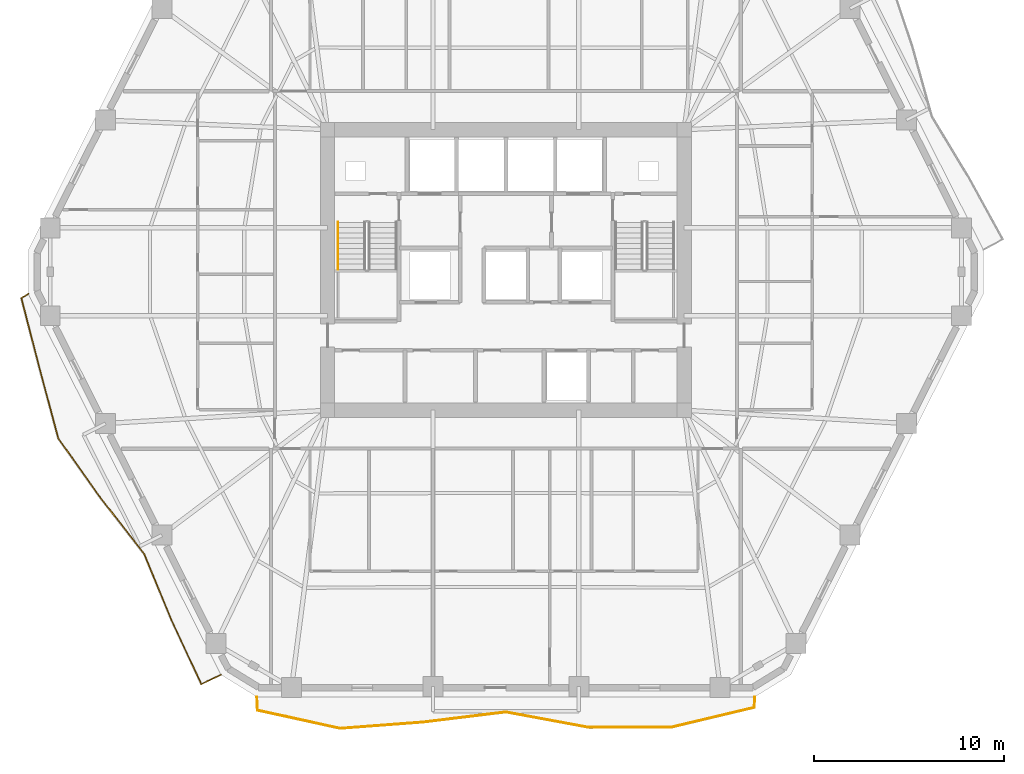
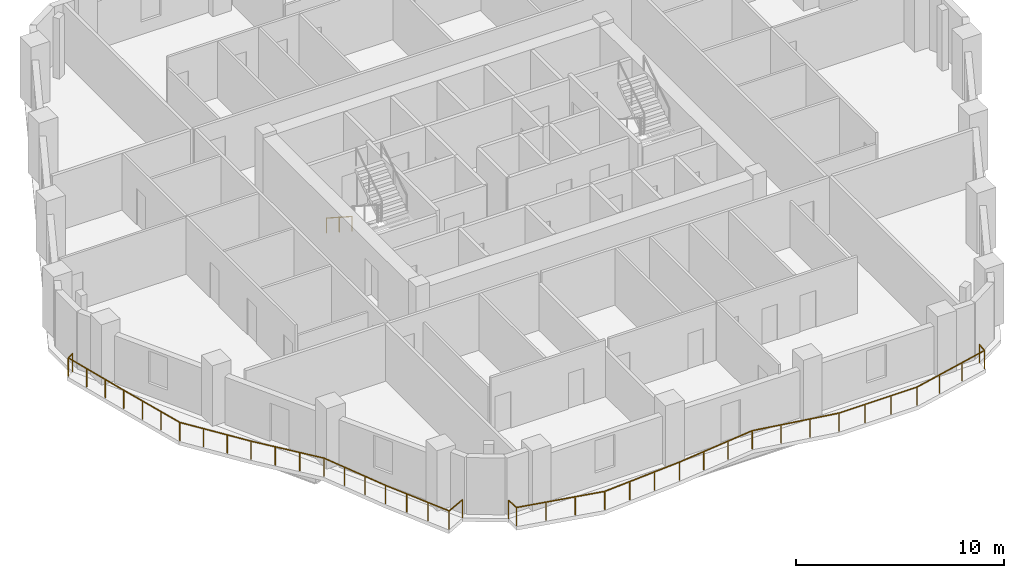
# One storey, part 9 of 11: 3 railings.
"""IFC4 building model written with IfcOpenShell, lengths in metres."""

from ifc_helpers import new_model, si_unit, direction, frame, origin, origin_2d, place, context, subcontext, project, spatial, rectangle, extrude, material, type_object, element, save


model = new_model("IFC4")

# Units and contexts
model_context = context("Model", 3, precision=1e-05, world=origin(), true_north=direction((0.0, 1.0)))
body_context = subcontext(model_context, "Body", "Model", "MODEL_VIEW")
ifc_project = project(units=[si_unit("LENGTHUNIT", "METRE"), si_unit("AREAUNIT", "SQUARE_METRE"), si_unit("VOLUMEUNIT", "CUBIC_METRE"), si_unit("PLANEANGLEUNIT", "RADIAN"), si_unit("MASSUNIT", "GRAM", prefix="KILO")], contexts=[model_context])

# Site, building, storey
site_placement = place(None, origin())
site = spatial("IfcSite", under=ifc_project, at=site_placement, CompositionType="ELEMENT")
building_placement = place(site_placement, origin())
building = spatial("IfcBuilding", under=site, at=building_placement, Name="Cinnabar Lancet Tower", CompositionType="ELEMENT")
storey_placement = place(building_placement, frame((0.0, 0.0, 130.35009765625)))
storey = spatial("IfcBuildingStorey", under=building, at=storey_placement, Name="L34", CompositionType="ELEMENT", Elevation=130.35009765625)

# Railings
ifc_material_1 = material(Name="Laminated safety glass and bronze stainless steel balustrade", Category="steel")
railing_type_1 = type_object("IfcRailingType", Name="ENV-RLG-BAL-1100", PredefinedType="BALUSTRADE", material=ifc_material_1)
railing_1_placement = place(storey_placement, frame((19.30810546875, 3.449951171875, 0.0)))
element("IfcRailing", 1, at=railing_1_placement, inside=storey, type_object=railing_type_1, Name="L34 Face 1 Wave Balcony Balustrade", PredefinedType="BALUSTRADE", context=body_context, shape_type="SweptSolid", body=[
    extrude(rectangle(XDim=0.048095703125, YDim=0.048095703125, at=origin_2d()), frame((0.0, 0.0, 1.076171875), z_axis=(0.047942046456, -0.998850118978, 0.0), x_axis=(0.998850118978, 0.047942046456, 0.0)), (0.0, 0.0, 1.0), 0.707763671875),
    extrude(rectangle(XDim=0.048095703125, YDim=0.048095703125, at=origin_2d()), frame((0.033935546875, -0.70703125, 1.076171875), z_axis=(0.976925026182, -0.213582520864, 0.0), x_axis=(0.213582520864, 0.976925026182, 0.0)), (0.0, 0.0, 1.0), 4.456787109375),
    extrude(rectangle(XDim=0.048095703125, YDim=0.048095703125, at=origin_2d()), frame((4.387939453125, -1.658935546875, 1.076171875), z_axis=(0.997120561854, 0.075832612556, 0.0), x_axis=(-0.075832612556, 0.997120561854, 0.0)), (0.0, 0.0, 1.0), 4.365478515625),
    extrude(rectangle(XDim=0.048095703125, YDim=0.048095703125, at=origin_2d()), frame((8.740966796875, -1.327880859375, 1.076171875), z_axis=(0.992634445758, 0.121148079206, 0.0), x_axis=(-0.121148079206, 0.992634445758, 0.0)), (0.0, 0.0, 1.0), 4.383056640625),
    extrude(rectangle(XDim=0.048095703125, YDim=0.048095703125, at=origin_2d()), frame((13.091796875, -0.796875, 1.076171875), z_axis=(0.983147116588, -0.182816156681, 0.0), x_axis=(0.182816156681, 0.983147116588, 0.0)), (0.0, 0.0, 1.0), 4.42578125),
    extrude(rectangle(XDim=0.048095703125, YDim=0.048095703125, at=origin_2d()), frame((17.44287109375, -1.60595703125, 1.076171875), z_axis=(0.999996223782, 0.002748166852, 0.0), x_axis=(-0.002748166852, 0.999996223782, 0.0)), (0.0, 0.0, 1.0), 4.35302734375),
    extrude(rectangle(XDim=0.048095703125, YDim=0.048095703125, at=origin_2d()), frame((21.7958984375, -1.593994140625, 1.076171875), z_axis=(0.972772251722, 0.231763125368, 0.0), x_axis=(-0.231763125368, 0.972772251722, 0.0)), (0.0, 0.0, 1.0), 4.474853515625),
    extrude(rectangle(XDim=0.048095703125, YDim=0.048095703125, at=origin_2d()), frame((26.14892578125, -0.556884765625, 1.076171875), z_axis=(0.062568966201, 0.998040642694, 0.0), x_axis=(-0.998040642694, 0.062568966201, 0.0)), (0.0, 0.0, 1.0), 0.557861328125),
    extrude(rectangle(XDim=0.0419921875, YDim=0.0419921875, at=origin_2d()), origin(), (0.0, 0.0, 1.0), 1.052001953125),
    extrude(rectangle(XDim=0.0419921875, YDim=0.0419921875, at=origin_2d()), frame((0.033935546875, -0.70703125, 0.0)), (0.0, 0.0, 1.0), 1.052001953125),
    extrude(rectangle(XDim=0.0419921875, YDim=0.0419921875, at=origin_2d()), frame((1.4853515625, -1.0244140625, 0.0)), (0.0, 0.0, 1.0), 1.052001953125),
    extrude(rectangle(XDim=0.0419921875, YDim=0.0419921875, at=origin_2d()), frame((2.9365234375, -1.341552734375, 0.0)), (0.0, 0.0, 1.0), 1.052001953125),
    extrude(rectangle(XDim=0.0419921875, YDim=0.0419921875, at=origin_2d()), frame((4.387939453125, -1.658935546875, 0.0)), (0.0, 0.0, 1.0), 1.052001953125),
    extrude(rectangle(XDim=0.0419921875, YDim=0.0419921875, at=origin_2d()), frame((5.8388671875, -1.548583984375, 0.0)), (0.0, 0.0, 1.0), 1.052001953125),
    extrude(rectangle(XDim=0.0419921875, YDim=0.0419921875, at=origin_2d()), frame((7.2900390625, -1.438232421875, 0.0)), (0.0, 0.0, 1.0), 1.052001953125),
    extrude(rectangle(XDim=0.0419921875, YDim=0.0419921875, at=origin_2d()), frame((8.740966796875, -1.327880859375, 0.0)), (0.0, 0.0, 1.0), 1.052001953125),
    extrude(rectangle(XDim=0.0419921875, YDim=0.0419921875, at=origin_2d()), frame((10.191162109375, -1.15087890625, 0.0)), (0.0, 0.0, 1.0), 1.052001953125),
    extrude(rectangle(XDim=0.0419921875, YDim=0.0419921875, at=origin_2d()), frame((11.6416015625, -0.973876953125, 0.0)), (0.0, 0.0, 1.0), 1.052001953125),
    extrude(rectangle(XDim=0.0419921875, YDim=0.0419921875, at=origin_2d()), frame((13.091796875, -0.796875, 0.0)), (0.0, 0.0, 1.0), 1.052001953125),
    extrude(rectangle(XDim=0.0419921875, YDim=0.0419921875, at=origin_2d()), frame((14.542236328125, -1.066650390625, 0.0)), (0.0, 0.0, 1.0), 1.052001953125),
    extrude(rectangle(XDim=0.0419921875, YDim=0.0419921875, at=origin_2d()), frame((15.992431640625, -1.336181640625, 0.0)), (0.0, 0.0, 1.0), 1.052001953125),
    extrude(rectangle(XDim=0.0419921875, YDim=0.0419921875, at=origin_2d()), frame((17.44287109375, -1.60595703125, 0.0)), (0.0, 0.0, 1.0), 1.052001953125),
    extrude(rectangle(XDim=0.0419921875, YDim=0.0419921875, at=origin_2d()), frame((18.893798828125, -1.60205078125, 0.0)), (0.0, 0.0, 1.0), 1.052001953125),
    extrude(rectangle(XDim=0.0419921875, YDim=0.0419921875, at=origin_2d()), frame((20.344970703125, -1.597900390625, 0.0)), (0.0, 0.0, 1.0), 1.052001953125),
    extrude(rectangle(XDim=0.0419921875, YDim=0.0419921875, at=origin_2d()), frame((21.7958984375, -1.593994140625, 0.0)), (0.0, 0.0, 1.0), 1.052001953125),
    extrude(rectangle(XDim=0.0419921875, YDim=0.0419921875, at=origin_2d()), frame((23.246826171875, -1.248291015625, 0.0)), (0.0, 0.0, 1.0), 1.052001953125),
    extrude(rectangle(XDim=0.0419921875, YDim=0.0419921875, at=origin_2d()), frame((24.697998046875, -0.902587890625, 0.0)), (0.0, 0.0, 1.0), 1.052001953125),
    extrude(rectangle(XDim=0.0419921875, YDim=0.0419921875, at=origin_2d()), frame((26.14892578125, -0.556884765625, 0.0)), (0.0, 0.0, 1.0), 1.052001953125),
    extrude(rectangle(XDim=0.0419921875, YDim=0.0419921875, at=origin_2d()), frame((26.183837890625, 0.0, 0.0)), (0.0, 0.0, 1.0), 1.052001953125),
])
railing_2_placement = place(storey_placement, frame((7.287109375, 24.639892578125, 0.0)))
element("IfcRailing", 2, at=railing_2_placement, inside=storey, type_object=railing_type_1, Name="L34 Face 6 Wave Balcony Balustrade", PredefinedType="BALUSTRADE", context=body_context, shape_type="SweptSolid", body=[
    extrude(rectangle(XDim=0.048095703125, YDim=0.048095703125, at=origin_2d()), frame((0.0, 0.0, 1.076171875), z_axis=(-0.86119088393, -0.508281675291, 0.0), x_axis=(0.508281675291, -0.86119088393, 0.0)), (0.0, 0.0, 1.0), 0.422607421875),
    extrude(rectangle(XDim=0.048095703125, YDim=0.048095703125, at=origin_2d()), frame((-0.364013671875, -0.21484375, 1.076171875), z_axis=(0.250421029552, -0.968137029536, 0.0), x_axis=(0.968137029536, 0.250421029552, 0.0)), (0.0, 0.0, 1.0), 3.82080078125),
    extrude(rectangle(XDim=0.048095703125, YDim=0.048095703125, at=origin_2d()), frame((0.5927734375, -3.913818359375, 1.076171875), z_axis=(0.25892601805, -0.965897156625, 0.0), x_axis=(0.965897156625, 0.25892601805, 0.0)), (0.0, 0.0, 1.0), 3.81201171875),
    extrude(rectangle(XDim=0.048095703125, YDim=0.048095703125, at=origin_2d()), frame((1.579833984375, -7.595947265625, 1.076171875), z_axis=(0.57831364696, -0.81581451675, 0.0), x_axis=(0.81581451675, 0.57831364696, 0.0)), (0.0, 0.0, 1.0), 3.771484375),
    extrude(rectangle(XDim=0.048095703125, YDim=0.048095703125, at=origin_2d()), frame((3.760986328125, -10.6728515625, 1.076171875), z_axis=(0.614331870018, -0.789047751077, 0.0), x_axis=(0.789047751077, 0.614331870018, 0.0)), (0.0, 0.0, 1.0), 3.80078125),
    extrude(rectangle(XDim=0.048095703125, YDim=0.048095703125, at=origin_2d()), frame((6.095947265625, -13.671875, 1.076171875), z_axis=(0.380871147794, -0.924628124588, 0.0), x_axis=(0.924628124588, 0.380871147794, 0.0)), (0.0, 0.0, 1.0), 3.744140625),
    extrude(rectangle(XDim=0.048095703125, YDim=0.048095703125, at=origin_2d()), frame((7.52197265625, -17.1337890625, 1.076171875), z_axis=(0.421746999421, -0.906713553709, 0.0), x_axis=(0.906713553709, 0.421746999421, 0.0)), (0.0, 0.0, 1.0), 3.734375),
    extrude(rectangle(XDim=0.048095703125, YDim=0.048095703125, at=origin_2d()), frame((9.096923828125, -20.519775390625, 1.076171875), z_axis=(0.904127594378, 0.42726255755, 0.0), x_axis=(-0.42726255755, 0.904127594378, 0.0)), (0.0, 0.0, 1.0), 1.146728515625),
    extrude(rectangle(XDim=0.0419921875, YDim=0.0419921875, at=origin_2d()), origin(), (0.0, 0.0, 1.0), 1.052001953125),
    extrude(rectangle(XDim=0.0419921875, YDim=0.0419921875, at=origin_2d()), frame((-0.364013671875, -0.21484375, 0.0)), (0.0, 0.0, 1.0), 1.052001953125),
    extrude(rectangle(XDim=0.0419921875, YDim=0.0419921875, at=origin_2d()), frame((-0.045166015625, -1.44775390625, 0.0)), (0.0, 0.0, 1.0), 1.052001953125),
    extrude(rectangle(XDim=0.0419921875, YDim=0.0419921875, at=origin_2d()), frame((0.27392578125, -2.680908203125, 0.0)), (0.0, 0.0, 1.0), 1.052001953125),
    extrude(rectangle(XDim=0.0419921875, YDim=0.0419921875, at=origin_2d()), frame((0.5927734375, -3.913818359375, 0.0)), (0.0, 0.0, 1.0), 1.052001953125),
    extrude(rectangle(XDim=0.0419921875, YDim=0.0419921875, at=origin_2d()), frame((0.921875, -5.14111328125, 0.0)), (0.0, 0.0, 1.0), 1.052001953125),
    extrude(rectangle(XDim=0.0419921875, YDim=0.0419921875, at=origin_2d()), frame((1.250732421875, -6.36865234375, 0.0)), (0.0, 0.0, 1.0), 1.052001953125),
    extrude(rectangle(XDim=0.0419921875, YDim=0.0419921875, at=origin_2d()), frame((1.579833984375, -7.595947265625, 0.0)), (0.0, 0.0, 1.0), 1.052001953125),
    extrude(rectangle(XDim=0.0419921875, YDim=0.0419921875, at=origin_2d()), frame((2.306884765625, -8.62158203125, 0.0)), (0.0, 0.0, 1.0), 1.052001953125),
    extrude(rectangle(XDim=0.0419921875, YDim=0.0419921875, at=origin_2d()), frame((3.033935546875, -9.647216796875, 0.0)), (0.0, 0.0, 1.0), 1.052001953125),
    extrude(rectangle(XDim=0.0419921875, YDim=0.0419921875, at=origin_2d()), frame((3.760986328125, -10.6728515625, 0.0)), (0.0, 0.0, 1.0), 1.052001953125),
    extrude(rectangle(XDim=0.0419921875, YDim=0.0419921875, at=origin_2d()), frame((4.539306640625, -11.672607421875, 0.0)), (0.0, 0.0, 1.0), 1.052001953125),
    extrude(rectangle(XDim=0.0419921875, YDim=0.0419921875, at=origin_2d()), frame((5.317626953125, -12.672119140625, 0.0)), (0.0, 0.0, 1.0), 1.052001953125),
    extrude(rectangle(XDim=0.0419921875, YDim=0.0419921875, at=origin_2d()), frame((6.095947265625, -13.671875, 0.0)), (0.0, 0.0, 1.0), 1.052001953125),
    extrude(rectangle(XDim=0.0419921875, YDim=0.0419921875, at=origin_2d()), frame((6.5712890625, -14.825927734375, 0.0)), (0.0, 0.0, 1.0), 1.052001953125),
    extrude(rectangle(XDim=0.0419921875, YDim=0.0419921875, at=origin_2d()), frame((7.046630859375, -15.979736328125, 0.0)), (0.0, 0.0, 1.0), 1.052001953125),
    extrude(rectangle(XDim=0.0419921875, YDim=0.0419921875, at=origin_2d()), frame((7.52197265625, -17.1337890625, 0.0)), (0.0, 0.0, 1.0), 1.052001953125),
    extrude(rectangle(XDim=0.0419921875, YDim=0.0419921875, at=origin_2d()), frame((8.046875, -18.262451171875, 0.0)), (0.0, 0.0, 1.0), 1.052001953125),
    extrude(rectangle(XDim=0.0419921875, YDim=0.0419921875, at=origin_2d()), frame((8.572021484375, -19.39111328125, 0.0)), (0.0, 0.0, 1.0), 1.052001953125),
    extrude(rectangle(XDim=0.0419921875, YDim=0.0419921875, at=origin_2d()), frame((9.096923828125, -20.519775390625, 0.0)), (0.0, 0.0, 1.0), 1.052001953125),
    extrude(rectangle(XDim=0.0419921875, YDim=0.0419921875, at=origin_2d()), frame((10.1337890625, -20.02978515625, 0.0)), (0.0, 0.0, 1.0), 1.052001953125),
])
ifc_material_2 = material(Name="Brushed stainless steel handrail", Category="steel")
railing_type_2 = type_object("IfcRailingType", Name="HANDRAIL-STAIR", PredefinedType="HANDRAIL", material=ifc_material_2)
railing_3_placement = place(storey_placement, frame((23.574951171875, 28.39990234375, 0.177490234375)))
element("IfcRailing", 3, at=railing_3_placement, inside=storey, type_object=railing_type_2, Name="L34 ST-1 stair handrail 1", PredefinedType="HANDRAIL", context=body_context, shape_type="SweptSolid", body=[
    extrude(rectangle(XDim=0.048095703125, YDim=0.048095703125, at=origin_2d()), frame((0.0, 0.0, 0.8759765625), z_axis=(0.0, -0.840183358697, 0.542302428327), x_axis=(1.0, 0.0, 0.0)), (0.0, 0.0, 1.0), 2.945556640625),
    extrude(rectangle(XDim=0.0419921875, YDim=0.0419921875, at=origin_2d()), origin(), (0.0, 0.0, 1.0), 0.851806640625),
    extrude(rectangle(XDim=0.0419921875, YDim=0.0419921875, at=origin_2d()), frame((0.0, -1.2373046875, 0.798828125)), (0.0, 0.0, 1.0), 0.851806640625),
    extrude(rectangle(XDim=0.0419921875, YDim=0.0419921875, at=origin_2d()), frame((0.0, -2.474853515625, 1.597412109375)), (0.0, 0.0, 1.0), 0.851806640625),
])

save(model, "model.ifc")
